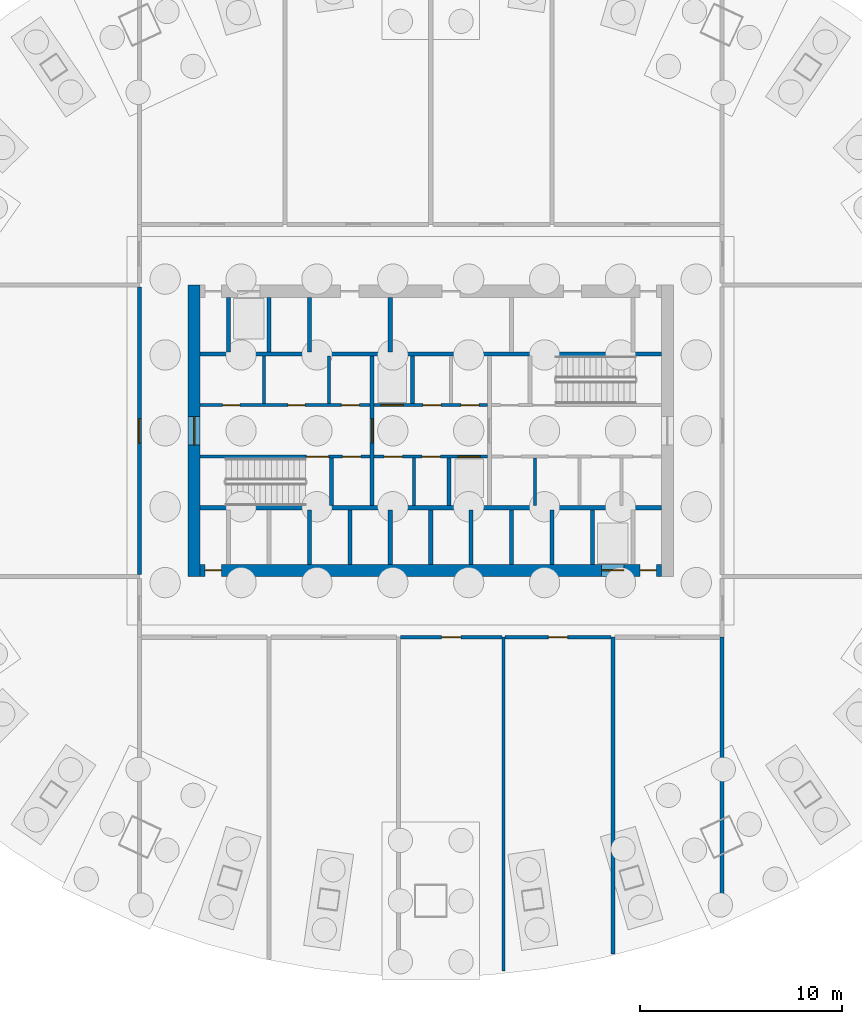
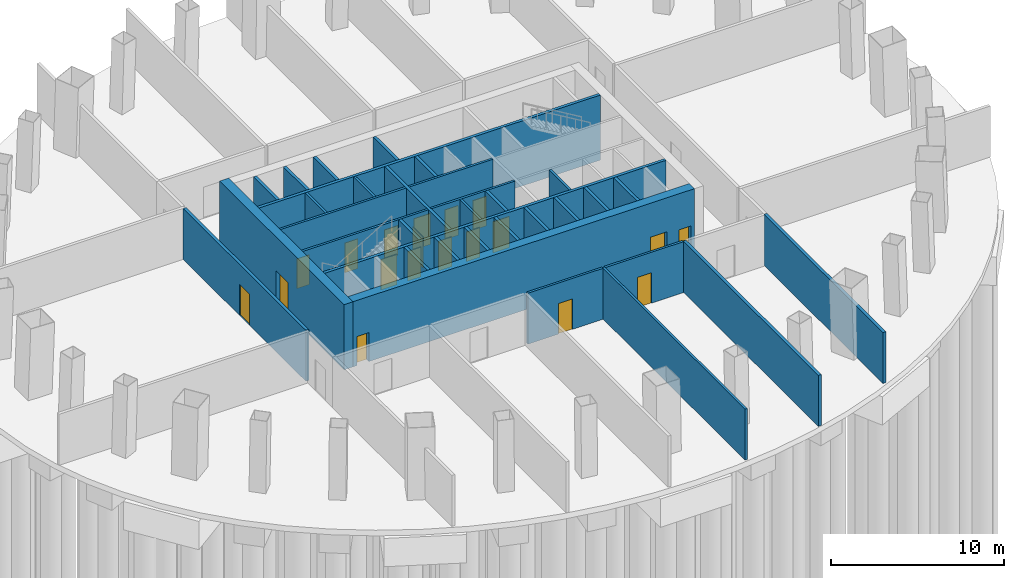
# One storey, part 3 of 7: 34 walls, 19 doors, 19 openings.
"""IFC4 building model written with IfcOpenShell, lengths in metres."""

from ifc_helpers import new_model, si_unit, direction, frame, frame_2d, origin, place, context, subcontext, project, spatial, rectangle, extrude, material, layer, layer_set, type_object, element, fill, save


model = new_model("IFC4")

# Units and contexts
model_context = context("Model", 3, precision=1e-05, world=origin(), true_north=direction((0.0, 1.0)))
body_context = subcontext(model_context, "Body", "Model", "MODEL_VIEW")
ifc_project = project(units=[si_unit("LENGTHUNIT", "METRE"), si_unit("AREAUNIT", "SQUARE_METRE"), si_unit("VOLUMEUNIT", "CUBIC_METRE"), si_unit("PLANEANGLEUNIT", "RADIAN"), si_unit("MASSUNIT", "GRAM", prefix="KILO")], contexts=[model_context])

# Site, building, storey
site_placement = place(None, origin())
site = spatial("IfcSite", under=ifc_project, at=site_placement, CompositionType="ELEMENT")
building_placement = place(site_placement, origin())
building = spatial("IfcBuilding", under=site, at=building_placement, Name="Siaravel Broadcast Tower", CompositionType="ELEMENT")
storey_placement = place(building_placement, frame((0.0, 0.0, -5.0)))
storey = spatial("IfcBuildingStorey", under=building, at=storey_placement, Name="B1", CompositionType="ELEMENT", Elevation=-5.0)

# Walls
ifc_material_1 = material(Name="Concrete blockwork", Category="masonry")
ifc_layer_1 = layer(ifc_material_1, 0.14990234375)
ifc_layer_set_1 = layer_set([ifc_layer_1], Name="Concrete blockwork")
wall_type_1 = type_object("IfcWallType", Name="Core partition 150", PredefinedType="PARTITIONING", material=ifc_layer_set_1)
for number, where, z_axis, x_axis, name in (
    (1, (-8.2470703125, 1.35009765625, 0.0), (0.0, 0.0, 1.0), (0.0, 1.0, 0.0), "B1 core partition PNW0"),
    (2, (-5.01904296875, 1.35009765625, 0.0), (0.0, 0.0, 1.0), (0.0, 1.0, 0.0), "B1 core partition PNW1"),
    (3, (5.14208984375, -3.699951171875, 0.0), (0.0, 0.0, 1.0), (0.0, 1.0, 0.0), "B1 core partition PSE0"),
    (4, (-0.827392578125, -3.699951171875, 0.0), (0.0, 0.0, 1.0), (0.0, 1.0, 0.0), "B1 core partition PSM0"),
):
    element("IfcWall", number, at=place(storey_placement, frame(where, z_axis=z_axis, x_axis=x_axis)), inside=storey, type_object=wall_type_1, Name=name, PredefinedType="PARTITIONING", context=body_context, shape_type="SweptSolid", body=[
        extrude(rectangle(XDim=2.349853515625, YDim=0.14990234375, at=frame_2d((1.1748046875, 0.0))), origin(), (0.0, 0.0, 1.0), 4.60009765625),
    ])
ifc_layer_2 = layer(ifc_material_1, 0.199951171875)
ifc_layer_set_2 = layer_set([ifc_layer_2], Name="Concrete blockwork")
wall_type_2 = type_object("IfcWallType", Name="Core partition 200", PredefinedType="PARTITIONING", material=ifc_layer_set_2)
wall_1_placement = place(storey_placement, frame((-2.0, 3.89990234375, 0.0), z_axis=(0.0, 0.0, 1.0), x_axis=(0.0, 1.0, 0.0)))
element("IfcWall", 5, at=wall_1_placement, inside=storey, type_object=wall_type_2, Name="B1 core partition PFN2", PredefinedType="PARTITIONING", context=body_context, shape_type="SweptSolid", body=[
    extrude(rectangle(XDim=2.7001953125, YDim=0.199951171875, at=frame_2d((1.35009765625, 0.0))), origin(), (0.0, 0.0, 1.0), 4.60009765625),
])

# Wall, opening, door
ifc_material_2 = material(Name="Concrete C60/75", Category="concrete")
ifc_layer_3 = layer(ifc_material_2, 0.60009765625)
ifc_layer_set_3 = layer_set([ifc_layer_3], Name="Concrete C60/75")
wall_type_3 = type_object("IfcWallType", Name="Core wall 600", PredefinedType="SHEAR", material=ifc_layer_set_3)
wall_2_placement = place(storey_placement, frame((-11.699951171875, -7.199951171875, 0.0), z_axis=(0.0, 0.0, 1.0), x_axis=(0.0, 1.0, 0.0)))
wall_2 = element("IfcWall", 6, at=wall_2_placement, inside=storey, type_object=wall_type_3, Name="B1 core wall OW", PredefinedType="SHEAR", context=body_context, shape_type="SweptSolid", body=[
    extrude(rectangle(XDim=14.39990234375, YDim=0.60009765625, at=frame_2d((7.199951171875, 0.0))), origin(), (0.0, 0.0, 1.0), 4.60009765625),
])
opening_1_placement = place(wall_2_placement, frame((6.5, 0.0, 0.0)))
opening_1 = element("IfcOpeningElement", 7, at=opening_1_placement, cuts=wall_2, Name="Opening B1-DX-W", PredefinedType="OPENING", context=body_context, shape_type="SweptSolid", body=[
    extrude(rectangle(XDim=1.39990234375, YDim=2.199951171875, at=frame_2d((0.699951171875, 1.10009765625))), frame((0.0, 0.31005859375, 0.0), z_axis=(0.0, -1.0, 0.0), x_axis=(1.0, 0.0, 0.0)), (0.0, 0.0, 1.0), 0.6201171875),
])
ifc_material_3 = material(Name="Steel", Category="steel")
door_type_1 = type_object("IfcDoorType", Name="Core exit door 1400", OperationType="DOUBLE_DOOR_SINGLE_SWING", PredefinedType="DOOR", material=ifc_material_3)
door_1_placement = place(opening_1_placement, origin())
door_1 = element("IfcDoor", 8, at=door_1_placement, inside=storey, type_object=door_type_1, Name="B1 door DX-W", OperationType="DOUBLE_DOOR_SINGLE_SWING", OverallHeight=2.199951171875, OverallWidth=1.39990234375, PredefinedType="DOOR", context=body_context, shape_type="SweptSolid", body=[
    extrude(rectangle(XDim=1.39990234375, YDim=2.199951171875, at=frame_2d((0.699951171875, 1.10009765625))), frame((0.0, 0.02490234375, 0.0), z_axis=(0.0, -1.0, 0.0), x_axis=(1.0, 0.0, 0.0)), (0.0, 0.0, 1.0), 0.050048828125),
])
fill(opening_1, door_1)

# Wall, openings, doors
wall_3_placement = place(storey_placement, frame((-11.39990234375, -6.89990234375, 0.0), z_axis=(0.0, 0.0, 1.0), x_axis=(1.0, 0.0, 0.0)))
wall_3 = element("IfcWall", 9, at=wall_3_placement, inside=storey, type_object=wall_type_3, Name="B1 core wall OS", PredefinedType="SHEAR", context=body_context, shape_type="SweptSolid", body=[
    extrude(rectangle(XDim=22.7998046875, YDim=0.60009765625, at=frame_2d((11.39990234375, 0.0))), origin(), (0.0, 0.0, 1.0), 4.60009765625),
])
opening_2_placement = place(wall_3_placement, frame((19.85009765625, 0.0, 0.0)))
opening_2 = element("IfcOpeningElement", 10, at=opening_2_placement, cuts=wall_3, Name="Opening LD-SV1-B1", PredefinedType="OPENING", context=body_context, shape_type="SweptSolid", body=[
    extrude(rectangle(XDim=1.10009765625, YDim=2.199951171875, at=frame_2d((0.550048828125, 1.10009765625))), frame((0.0, 0.31005859375, 0.0), z_axis=(0.0, -1.0, 0.0), x_axis=(1.0, 0.0, 0.0)), (0.0, 0.0, 1.0), 0.6201171875),
])
opening_3_placement = place(wall_3_placement, frame((0.25, 0.0, 0.0)))
opening_3 = element("IfcOpeningElement", 11, at=opening_3_placement, cuts=wall_3, Name="Opening B1-DRSW", PredefinedType="OPENING", context=body_context, shape_type="SweptSolid", body=[
    extrude(rectangle(XDim=0.800048828125, YDim=2.050048828125, at=frame_2d((0.39990234375, 1.02490234375))), frame((0.0, 0.31005859375, 0.0), z_axis=(0.0, -1.0, 0.0), x_axis=(1.0, 0.0, 0.0)), (0.0, 0.0, 1.0), 0.6201171875),
])
opening_4_placement = place(wall_3_placement, frame((21.75, 0.0, 0.0)))
opening_4 = element("IfcOpeningElement", 12, at=opening_4_placement, cuts=wall_3, Name="Opening B1-DRSE", PredefinedType="OPENING", context=body_context, shape_type="SweptSolid", body=[
    extrude(rectangle(XDim=0.800048828125, YDim=2.050048828125, at=frame_2d((0.39990234375, 1.02490234375))), frame((0.0, 0.31005859375, 0.0), z_axis=(0.0, -1.0, 0.0), x_axis=(1.0, 0.0, 0.0)), (0.0, 0.0, 1.0), 0.6201171875),
])
door_type_2 = type_object("IfcDoorType", Name="Riser door 800", OperationType="SINGLE_SWING_LEFT", PredefinedType="DOOR", material=ifc_material_3)
door_2_placement = place(opening_3_placement, origin())
door_2 = element("IfcDoor", 13, at=door_2_placement, inside=storey, type_object=door_type_2, Name="B1 door DRSW", OperationType="SINGLE_SWING_LEFT", OverallHeight=2.050048828125, OverallWidth=0.800048828125, PredefinedType="DOOR", context=body_context, shape_type="SweptSolid", body=[
    extrude(rectangle(XDim=0.800048828125, YDim=2.050048828125, at=frame_2d((0.39990234375, 1.02490234375))), frame((0.0, 0.02490234375, 0.0), z_axis=(0.0, -1.0, 0.0), x_axis=(1.0, 0.0, 0.0)), (0.0, 0.0, 1.0), 0.050048828125),
])
fill(opening_3, door_2)
door_3_placement = place(opening_4_placement, origin())
door_3 = element("IfcDoor", 14, at=door_3_placement, inside=storey, type_object=door_type_2, Name="B1 door DRSE", OperationType="SINGLE_SWING_LEFT", OverallHeight=2.050048828125, OverallWidth=0.800048828125, PredefinedType="DOOR", context=body_context, shape_type="SweptSolid", body=[
    extrude(rectangle(XDim=0.800048828125, YDim=2.050048828125, at=frame_2d((0.39990234375, 1.02490234375))), frame((0.0, 0.02490234375, 0.0), z_axis=(0.0, -1.0, 0.0), x_axis=(1.0, 0.0, 0.0)), (0.0, 0.0, 1.0), 0.050048828125),
])
fill(opening_4, door_3)
ifc_material_4 = material(Name="Stainless steel 316L", Category="steel")
door_type_3 = type_object("IfcDoorType", Name="Service lift landing door 1100", OperationType="DOUBLE_DOOR_SLIDING", PredefinedType="DOOR", material=ifc_material_4)
door_4_placement = place(opening_2_placement, origin())
door_4 = element("IfcDoor", 15, at=door_4_placement, inside=storey, type_object=door_type_3, Name="Landing door SV1 B1", OperationType="DOUBLE_DOOR_SLIDING", OverallHeight=2.199951171875, OverallWidth=1.10009765625, PredefinedType="DOOR", context=body_context, shape_type="SweptSolid", body=[
    extrude(rectangle(XDim=1.10009765625, YDim=2.199951171875, at=frame_2d((0.550048828125, 1.10009765625))), frame((0.0, 0.02490234375, 0.0), z_axis=(0.0, -1.0, 0.0), x_axis=(1.0, 0.0, 0.0)), (0.0, 0.0, 1.0), 0.050048828125),
])
fill(opening_2, door_4)

ifc_material_5 = material(Name="Gypsum board partition", Category="gypsum")
ifc_layer_4 = layer(ifc_material_5, 0.14990234375)
ifc_layer_set_4 = layer_set([ifc_layer_4], Name="Gypsum board partition")
wall_type_4 = type_object("IfcWallType", Name="Corridor wall 150", PredefinedType="PARTITIONING", material=ifc_layer_set_4)
wall_4_placement = place(storey_placement, frame((-11.39990234375, 1.27490234375, 0.0), z_axis=(0.0, 0.0, 1.0), x_axis=(1.0, 0.0, 0.0)))
wall_4 = element("IfcWall", 16, at=wall_4_placement, inside=storey, type_object=wall_type_4, Name="B1 core partition CNW", PredefinedType="PARTITIONING", context=body_context, shape_type="SweptSolid", body=[
    extrude(rectangle(XDim=8.39990234375, YDim=0.14990234375, at=frame_2d((4.199951171875, 0.0))), origin(), (0.0, 0.0, 1.0), 4.60009765625),
])
opening_5_placement = place(wall_4_placement, frame((1.114013671875, 0.0, 0.0)))
opening_5 = element("IfcOpeningElement", 17, at=opening_5_placement, cuts=wall_4, Name="Opening B1-DNW0", PredefinedType="OPENING", context=body_context, shape_type="SweptSolid", body=[
    extrude(rectangle(XDim=0.85009765625, YDim=2.10009765625, at=frame_2d((0.425048828125, 1.050048828125))), frame((0.0, 0.0849609375, 0.0), z_axis=(0.0, -1.0, 0.0), x_axis=(1.0, 0.0, 0.0)), (0.0, 0.0, 1.0), 0.169921875),
])
opening_6_placement = place(wall_4_placement, frame((4.342041015625, 0.0, 0.0)))
opening_6 = element("IfcOpeningElement", 18, at=opening_6_placement, cuts=wall_4, Name="Opening B1-DNW1", PredefinedType="OPENING", context=body_context, shape_type="SweptSolid", body=[
    extrude(rectangle(XDim=0.85009765625, YDim=2.10009765625, at=frame_2d((0.425048828125, 1.050048828125))), frame((0.0, 0.0849609375, 0.0), z_axis=(0.0, -1.0, 0.0), x_axis=(1.0, 0.0, 0.0)), (0.0, 0.0, 1.0), 0.169921875),
])
opening_7_placement = place(wall_4_placement, frame((6.97802734375, 0.0, 0.0)))
opening_7 = element("IfcOpeningElement", 19, at=opening_7_placement, cuts=wall_4, Name="Opening B1-DNW2", PredefinedType="OPENING", context=body_context, shape_type="SweptSolid", body=[
    extrude(rectangle(XDim=0.89990234375, YDim=2.10009765625, at=frame_2d((0.449951171875, 1.050048828125))), frame((0.0, 0.0849609375, 0.0), z_axis=(0.0, -1.0, 0.0), x_axis=(1.0, 0.0, 0.0)), (0.0, 0.0, 1.0), 0.169921875),
])
ifc_material_6 = material(Name="Timber veneer", Category="wood")
door_type_4 = type_object("IfcDoorType", Name="Core room door 900", OperationType="SINGLE_SWING_LEFT", PredefinedType="DOOR", material=ifc_material_6)
door_5_placement = place(opening_7_placement, origin())
door_5 = element("IfcDoor", 20, at=door_5_placement, inside=storey, type_object=door_type_4, Name="B1 door DNW2", OperationType="SINGLE_SWING_LEFT", OverallHeight=2.10009765625, OverallWidth=0.89990234375, PredefinedType="DOOR", context=body_context, shape_type="SweptSolid", body=[
    extrude(rectangle(XDim=0.89990234375, YDim=2.10009765625, at=frame_2d((0.449951171875, 1.050048828125))), frame((0.0, 0.02490234375, 0.0), z_axis=(0.0, -1.0, 0.0), x_axis=(1.0, 0.0, 0.0)), (0.0, 0.0, 1.0), 0.050048828125),
])
fill(opening_7, door_5)
door_type_5 = type_object("IfcDoorType", Name="Core toilet door 850", OperationType="SINGLE_SWING_LEFT", PredefinedType="DOOR", material=ifc_material_6)
door_6_placement = place(opening_5_placement, origin())
door_6 = element("IfcDoor", 21, at=door_6_placement, inside=storey, type_object=door_type_5, Name="B1 door DNW0", OperationType="SINGLE_SWING_LEFT", OverallHeight=2.10009765625, OverallWidth=0.85009765625, PredefinedType="DOOR", context=body_context, shape_type="SweptSolid", body=[
    extrude(rectangle(XDim=0.85009765625, YDim=2.10009765625, at=frame_2d((0.425048828125, 1.050048828125))), frame((0.0, 0.02490234375, 0.0), z_axis=(0.0, -1.0, 0.0), x_axis=(1.0, 0.0, 0.0)), (0.0, 0.0, 1.0), 0.050048828125),
])
fill(opening_5, door_6)
door_7_placement = place(opening_6_placement, origin())
door_7 = element("IfcDoor", 22, at=door_7_placement, inside=storey, type_object=door_type_5, Name="B1 door DNW1", OperationType="SINGLE_SWING_LEFT", OverallHeight=2.10009765625, OverallWidth=0.85009765625, PredefinedType="DOOR", context=body_context, shape_type="SweptSolid", body=[
    extrude(rectangle(XDim=0.85009765625, YDim=2.10009765625, at=frame_2d((0.425048828125, 1.050048828125))), frame((0.0, 0.02490234375, 0.0), z_axis=(0.0, -1.0, 0.0), x_axis=(1.0, 0.0, 0.0)), (0.0, 0.0, 1.0), 0.050048828125),
])
fill(opening_6, door_7)

# Wall, opening, door
wall_5_placement = place(storey_placement, frame((3.677001953125, -10.199951171875, 0.0), z_axis=(0.0, 0.0, 1.0), x_axis=(1.0, 0.0, 0.0)))
wall_5 = element("IfcWall", 23, at=wall_5_placement, inside=storey, type_object=wall_type_4, Name="B1 partition 24", PredefinedType="PARTITIONING", context=body_context, shape_type="SweptSolid", body=[
    extrude(rectangle(XDim=5.220947265625, YDim=0.14990234375, at=frame_2d((2.6103515625, 0.0))), origin(), (0.0, 0.0, 1.0), 3.60009765625),
])
opening_8_placement = place(wall_5_placement, frame((2.135498046875, 0.0, 0.0)))
opening_8 = element("IfcOpeningElement", 24, at=opening_8_placement, cuts=wall_5, Name="Opening B1-014", PredefinedType="OPENING", context=body_context, shape_type="SweptSolid", body=[
    extrude(rectangle(XDim=0.949951171875, YDim=2.14990234375, at=frame_2d((0.47509765625, 1.074951171875))), frame((0.0, 0.0849609375, 0.0), z_axis=(0.0, -1.0, 0.0), x_axis=(1.0, 0.0, 0.0)), (0.0, 0.0, 1.0), 0.169921875),
])
door_type_6 = type_object("IfcDoorType", Name="Office door 950", OperationType="SINGLE_SWING_LEFT", PredefinedType="DOOR", material=ifc_material_6)
door_8_placement = place(opening_8_placement, origin())
door_8 = element("IfcDoor", 25, at=door_8_placement, inside=storey, type_object=door_type_6, Name="B1 door to General store", OperationType="SINGLE_SWING_RIGHT", OverallHeight=2.14990234375, OverallWidth=0.949951171875, PredefinedType="DOOR", context=body_context, shape_type="SweptSolid", body=[
    extrude(rectangle(XDim=0.949951171875, YDim=2.14990234375, at=frame_2d((0.47509765625, 1.074951171875))), frame((0.0, 0.02490234375, 0.0), z_axis=(0.0, -1.0, 0.0), x_axis=(1.0, 0.0, 0.0)), (0.0, 0.0, 1.0), 0.050048828125),
])
fill(opening_8, door_8)

wall_6_placement = place(storey_placement, frame((-1.498046875, -10.199951171875, 0.0), z_axis=(0.0, 0.0, 1.0), x_axis=(1.0, 0.0, 0.0)))
wall_6 = element("IfcWall", 26, at=wall_6_placement, inside=storey, type_object=wall_type_4, Name="B1 partition 26", PredefinedType="PARTITIONING", context=body_context, shape_type="SweptSolid", body=[
    extrude(rectangle(XDim=5.02099609375, YDim=0.14990234375, at=frame_2d((2.510498046875, 0.0))), origin(), (0.0, 0.0, 1.0), 3.60009765625),
])
opening_9_placement = place(wall_6_placement, frame((2.035400390625, 0.0, 0.0)))
opening_9 = element("IfcOpeningElement", 27, at=opening_9_placement, cuts=wall_6, Name="Opening B1-013", PredefinedType="OPENING", context=body_context, shape_type="SweptSolid", body=[
    extrude(rectangle(XDim=0.949951171875, YDim=2.14990234375, at=frame_2d((0.47509765625, 1.074951171875))), frame((0.0, 0.0849609375, 0.0), z_axis=(0.0, -1.0, 0.0), x_axis=(1.0, 0.0, 0.0)), (0.0, 0.0, 1.0), 0.169921875),
])
door_9_placement = place(opening_9_placement, origin())
door_9 = element("IfcDoor", 28, at=door_9_placement, inside=storey, type_object=door_type_6, Name="B1 door to Refuse store", OperationType="SINGLE_SWING_LEFT", OverallHeight=2.14990234375, OverallWidth=0.949951171875, PredefinedType="DOOR", context=body_context, shape_type="SweptSolid", body=[
    extrude(rectangle(XDim=0.949951171875, YDim=2.14990234375, at=frame_2d((0.47509765625, 1.074951171875))), frame((0.0, 0.02490234375, 0.0), z_axis=(0.0, -1.0, 0.0), x_axis=(1.0, 0.0, 0.0)), (0.0, 0.0, 1.0), 0.050048828125),
])
fill(opening_9, door_9)

# Wall
ifc_layer_5 = layer(ifc_material_1, 0.199951171875)
ifc_layer_set_5 = layer_set([ifc_layer_5], Name="Concrete blockwork")
wall_type_5 = type_object("IfcWallType", Name="Plant room wall 200", PredefinedType="PARTITIONING", material=ifc_layer_set_5)
wall_7_placement = place(storey_placement, frame((9.0, -25.86083984375, 0.0), z_axis=(0.0, 0.0, 1.0), x_axis=(0.0, 1.0, 0.0)))
element("IfcWall", 29, at=wall_7_placement, inside=storey, type_object=wall_type_5, Name="B1 partition 11", PredefinedType="PARTITIONING", context=body_context, shape_type="SweptSolid", body=[
    extrude(rectangle(XDim=15.660888671875, YDim=0.199951171875, at=frame_2d((7.83056640625, 0.0))), origin(), (0.0, 0.0, 1.0), 3.60009765625),
])

# Wall, opening, door
wall_8_placement = place(storey_placement, frame((-14.39990234375, 7.097900390625, 0.0), z_axis=(0.0, 0.0, 1.0), x_axis=(0.0, -1.0, 0.0)))
wall_8 = element("IfcWall", 30, at=wall_8_placement, inside=storey, type_object=wall_type_5, Name="B1 partition 12", PredefinedType="PARTITIONING", context=body_context, shape_type="SweptSolid", body=[
    extrude(rectangle(XDim=14.19580078125, YDim=0.199951171875, at=frame_2d((7.097900390625, 0.0))), origin(), (0.0, 0.0, 1.0), 3.60009765625),
])
opening_10_placement = place(wall_8_placement, frame((6.498046875, 0.0, 0.0)))
opening_10 = element("IfcOpeningElement", 31, at=opening_10_placement, cuts=wall_8, Name="Opening B1-002", PredefinedType="OPENING", context=body_context, shape_type="SweptSolid", body=[
    extrude(rectangle(XDim=1.199951171875, YDim=2.199951171875, at=frame_2d((0.60009765625, 1.10009765625))), frame((0.0, 0.10986328125, 0.0), z_axis=(0.0, -1.0, 0.0), x_axis=(1.0, 0.0, 0.0)), (0.0, 0.0, 1.0), 0.219970703125),
])
door_type_7 = type_object("IfcDoorType", Name="Plant room door 1200", OperationType="DOUBLE_DOOR_SINGLE_SWING", PredefinedType="DOOR", material=ifc_material_3)
door_10_placement = place(opening_10_placement, origin())
door_10 = element("IfcDoor", 32, at=door_10_placement, inside=storey, type_object=door_type_7, Name="B1 door to Chiller plant room", OperationType="DOUBLE_DOOR_SINGLE_SWING", OverallHeight=2.199951171875, OverallWidth=1.199951171875, PredefinedType="DOOR", context=body_context, shape_type="SweptSolid", body=[
    extrude(rectangle(XDim=1.199951171875, YDim=2.199951171875, at=frame_2d((0.60009765625, 1.10009765625))), frame((0.0, 0.02490234375, 0.0), z_axis=(0.0, -1.0, 0.0), x_axis=(1.0, 0.0, 0.0)), (0.0, 0.0, 1.0), 0.050048828125),
])
fill(opening_10, door_10)

# Walls
wall_9_placement = place(storey_placement, frame((14.39990234375, -10.199951171875, 0.0), z_axis=(0.0, 0.0, 1.0), x_axis=(0.0, -1.0, 0.0)))
element("IfcWall", 33, at=wall_9_placement, inside=storey, type_object=wall_type_5, Name="B1 partition 16", PredefinedType="PARTITIONING", context=body_context, shape_type="SweptSolid", body=[
    extrude(rectangle(XDim=13.791259765625, YDim=0.199951171875, at=frame_2d((6.8955078125, 0.0))), origin(), (0.0, 0.0, 1.0), 3.60009765625),
])
ifc_layer_6 = layer(ifc_material_5, 0.14990234375)
ifc_layer_set_6 = layer_set([ifc_layer_6], Name="Gypsum board partition")
wall_type_6 = type_object("IfcWallType", Name="Room partition 150", PredefinedType="PARTITIONING", material=ifc_layer_set_6)
wall_10_placement = place(storey_placement, frame((3.60009765625, -26.690185546875, 0.0), z_axis=(0.0, 0.0, 1.0), x_axis=(0.0, 1.0, 0.0)))
element("IfcWall", 34, at=wall_10_placement, inside=storey, type_object=wall_type_6, Name="B1 partition 7", PredefinedType="PARTITIONING", context=body_context, shape_type="SweptSolid", body=[
    extrude(rectangle(XDim=16.490234375, YDim=0.14990234375, at=frame_2d((8.2451171875, 0.0))), origin(), (0.0, 0.0, 1.0), 3.60009765625),
])

# Wall, openings, doors
ifc_layer_7 = layer(ifc_material_2, 0.14990234375)
ifc_layer_set_7 = layer_set([ifc_layer_7], Name="Concrete C60/75")
wall_type_7 = type_object("IfcWallType", Name="Shaft wall 150", PredefinedType="SHEAR", material=ifc_layer_set_7)
wall_11_placement = place(storey_placement, frame((-11.39990234375, -1.27490234375, 0.0), z_axis=(0.0, 0.0, 1.0), x_axis=(1.0, 0.0, 0.0)))
wall_11 = element("IfcWall", 35, at=wall_11_placement, inside=storey, type_object=wall_type_7, Name="B1 core wall CSW", PredefinedType="SHEAR", context=body_context, shape_type="SweptSolid", body=[
    extrude(rectangle(XDim=8.39990234375, YDim=0.14990234375, at=frame_2d((4.199951171875, 0.0))), origin(), (0.0, 0.0, 1.0), 4.60009765625),
])
opening_11_placement = place(wall_11_placement, frame((5.25, 0.0, 0.0)))
opening_11 = element("IfcOpeningElement", 36, at=opening_11_placement, cuts=wall_11, Name="Opening B1-DS-1", PredefinedType="OPENING", context=body_context, shape_type="SweptSolid", body=[
    extrude(rectangle(XDim=1.10009765625, YDim=2.14990234375, at=frame_2d((0.550048828125, 1.074951171875))), frame((0.0, 0.0849609375, 0.0), z_axis=(0.0, -1.0, 0.0), x_axis=(1.0, 0.0, 0.0)), (0.0, 0.0, 1.0), 0.169921875),
])
opening_12_placement = place(wall_11_placement, frame((7.050048828125, 0.0, 0.0)))
opening_12 = element("IfcOpeningElement", 37, at=opening_12_placement, cuts=wall_11, Name="Opening B1-DSW0", PredefinedType="OPENING", context=body_context, shape_type="SweptSolid", body=[
    extrude(rectangle(XDim=0.89990234375, YDim=2.10009765625, at=frame_2d((0.449951171875, 1.050048828125))), frame((0.0, 0.0849609375, 0.0), z_axis=(0.0, -1.0, 0.0), x_axis=(1.0, 0.0, 0.0)), (0.0, 0.0, 1.0), 0.169921875),
])
door_11_placement = place(opening_12_placement, origin())
door_11 = element("IfcDoor", 38, at=door_11_placement, inside=storey, type_object=door_type_4, Name="B1 door DSW0", OperationType="SINGLE_SWING_LEFT", OverallHeight=2.10009765625, OverallWidth=0.89990234375, PredefinedType="DOOR", context=body_context, shape_type="SweptSolid", body=[
    extrude(rectangle(XDim=0.89990234375, YDim=2.10009765625, at=frame_2d((0.449951171875, 1.050048828125))), frame((0.0, 0.02490234375, 0.0), z_axis=(0.0, -1.0, 0.0), x_axis=(1.0, 0.0, 0.0)), (0.0, 0.0, 1.0), 0.050048828125),
])
fill(opening_12, door_11)
door_type_8 = type_object("IfcDoorType", Name="Stair door 1100", OperationType="SINGLE_SWING_LEFT", PredefinedType="DOOR", material=ifc_material_3)
door_12_placement = place(opening_11_placement, origin())
door_12 = element("IfcDoor", 39, at=door_12_placement, inside=storey, type_object=door_type_8, Name="B1 door DS-1", OperationType="SINGLE_SWING_LEFT", OverallHeight=2.14990234375, OverallWidth=1.10009765625, PredefinedType="DOOR", context=body_context, shape_type="SweptSolid", body=[
    extrude(rectangle(XDim=1.10009765625, YDim=2.14990234375, at=frame_2d((0.550048828125, 1.074951171875))), frame((0.0, 0.02490234375, 0.0), z_axis=(0.0, -1.0, 0.0), x_axis=(1.0, 0.0, 0.0)), (0.0, 0.0, 1.0), 0.050048828125),
])
fill(opening_11, door_12)

wall_12_placement = place(storey_placement, frame((-2.800048828125, -1.27490234375, 0.0), z_axis=(0.0, 0.0, 1.0), x_axis=(1.0, 0.0, 0.0)))
wall_12 = element("IfcWall", 40, at=wall_12_placement, inside=storey, type_object=wall_type_7, Name="B1 core wall CSM", PredefinedType="SHEAR", context=body_context, shape_type="SweptSolid", body=[
    extrude(rectangle(XDim=5.60009765625, YDim=0.14990234375, at=frame_2d((2.800048828125, 0.0))), origin(), (0.0, 0.0, 1.0), 4.60009765625),
])
opening_13_placement = place(wall_12_placement, frame((4.14990234375, 0.0, 0.0)))
opening_13 = element("IfcOpeningElement", 41, at=opening_13_placement, cuts=wall_12, Name="Opening LD-FL2-B1", PredefinedType="OPENING", context=body_context, shape_type="SweptSolid", body=[
    extrude(rectangle(XDim=1.10009765625, YDim=2.199951171875, at=frame_2d((0.550048828125, 1.10009765625))), frame((0.0, 0.0849609375, 0.0), z_axis=(0.0, -1.0, 0.0), x_axis=(1.0, 0.0, 0.0)), (0.0, 0.0, 1.0), 0.169921875),
])
opening_14_placement = place(wall_12_placement, frame((0.498779296875, 0.0, 0.0)))
opening_14 = element("IfcOpeningElement", 42, at=opening_14_placement, cuts=wall_12, Name="Opening B1-DSM0", PredefinedType="OPENING", context=body_context, shape_type="SweptSolid", body=[
    extrude(rectangle(XDim=0.89990234375, YDim=2.10009765625, at=frame_2d((0.449951171875, 1.050048828125))), frame((0.0, 0.0849609375, 0.0), z_axis=(0.0, -1.0, 0.0), x_axis=(1.0, 0.0, 0.0)), (0.0, 0.0, 1.0), 0.169921875),
])
opening_15_placement = place(wall_12_placement, frame((2.373779296875, 0.0, 0.0)))
opening_15 = element("IfcOpeningElement", 43, at=opening_15_placement, cuts=wall_12, Name="Opening B1-DSM1", PredefinedType="OPENING", context=body_context, shape_type="SweptSolid", body=[
    extrude(rectangle(XDim=0.89990234375, YDim=2.10009765625, at=frame_2d((0.449951171875, 1.050048828125))), frame((0.0, 0.0849609375, 0.0), z_axis=(0.0, -1.0, 0.0), x_axis=(1.0, 0.0, 0.0)), (0.0, 0.0, 1.0), 0.169921875),
])
door_13_placement = place(opening_14_placement, origin())
door_13 = element("IfcDoor", 44, at=door_13_placement, inside=storey, type_object=door_type_4, Name="B1 door DSM0", OperationType="SINGLE_SWING_LEFT", OverallHeight=2.10009765625, OverallWidth=0.89990234375, PredefinedType="DOOR", context=body_context, shape_type="SweptSolid", body=[
    extrude(rectangle(XDim=0.89990234375, YDim=2.10009765625, at=frame_2d((0.449951171875, 1.050048828125))), frame((0.0, 0.02490234375, 0.0), z_axis=(0.0, -1.0, 0.0), x_axis=(1.0, 0.0, 0.0)), (0.0, 0.0, 1.0), 0.050048828125),
])
fill(opening_14, door_13)
door_14_placement = place(opening_15_placement, origin())
door_14 = element("IfcDoor", 45, at=door_14_placement, inside=storey, type_object=door_type_4, Name="B1 door DSM1", OperationType="SINGLE_SWING_LEFT", OverallHeight=2.10009765625, OverallWidth=0.89990234375, PredefinedType="DOOR", context=body_context, shape_type="SweptSolid", body=[
    extrude(rectangle(XDim=0.89990234375, YDim=2.10009765625, at=frame_2d((0.449951171875, 1.050048828125))), frame((0.0, 0.02490234375, 0.0), z_axis=(0.0, -1.0, 0.0), x_axis=(1.0, 0.0, 0.0)), (0.0, 0.0, 1.0), 0.050048828125),
])
fill(opening_15, door_14)
door_type_9 = type_object("IfcDoorType", Name="Firefighting lift landing door 1100", OperationType="DOUBLE_DOOR_SLIDING", PredefinedType="DOOR", material=ifc_material_4)
door_15_placement = place(opening_13_placement, origin())
door_15 = element("IfcDoor", 46, at=door_15_placement, inside=storey, type_object=door_type_9, Name="Landing door FL2 B1", OperationType="DOUBLE_DOOR_SLIDING", OverallHeight=2.199951171875, OverallWidth=1.10009765625, PredefinedType="DOOR", context=body_context, shape_type="SweptSolid", body=[
    extrude(rectangle(XDim=1.10009765625, YDim=2.199951171875, at=frame_2d((0.550048828125, 1.10009765625))), frame((0.0, 0.02490234375, 0.0), z_axis=(0.0, -1.0, 0.0), x_axis=(1.0, 0.0, 0.0)), (0.0, 0.0, 1.0), 0.050048828125),
])
fill(opening_13, door_15)

wall_13_placement = place(storey_placement, frame((-2.800048828125, 1.27490234375, 0.0), z_axis=(0.0, 0.0, 1.0), x_axis=(1.0, 0.0, 0.0)))
wall_13 = element("IfcWall", 47, at=wall_13_placement, inside=storey, type_object=wall_type_7, Name="B1 core wall CNM", PredefinedType="SHEAR", context=body_context, shape_type="SweptSolid", body=[
    extrude(rectangle(XDim=5.60009765625, YDim=0.14990234375, at=frame_2d((2.800048828125, 0.0))), origin(), (0.0, 0.0, 1.0), 4.60009765625),
])
opening_16_placement = place(wall_13_placement, frame((0.35009765625, 0.0, 0.0)))
opening_16 = element("IfcOpeningElement", 48, at=opening_16_placement, cuts=wall_13, Name="Opening LD-FL1-B1", PredefinedType="OPENING", context=body_context, shape_type="SweptSolid", body=[
    extrude(rectangle(XDim=1.10009765625, YDim=2.199951171875, at=frame_2d((0.550048828125, 1.10009765625))), frame((0.0, 0.0849609375, 0.0), z_axis=(0.0, -1.0, 0.0), x_axis=(1.0, 0.0, 0.0)), (0.0, 0.0, 1.0), 0.169921875),
])
opening_17_placement = place(wall_13_placement, frame((2.41259765625, 0.0, 0.0)))
opening_17 = element("IfcOpeningElement", 49, at=opening_17_placement, cuts=wall_13, Name="Opening B1-DNM0", PredefinedType="OPENING", context=body_context, shape_type="SweptSolid", body=[
    extrude(rectangle(XDim=0.89990234375, YDim=2.10009765625, at=frame_2d((0.449951171875, 1.050048828125))), frame((0.0, 0.0849609375, 0.0), z_axis=(0.0, -1.0, 0.0), x_axis=(1.0, 0.0, 0.0)), (0.0, 0.0, 1.0), 0.169921875),
])
opening_18_placement = place(wall_13_placement, frame((4.28759765625, 0.0, 0.0)))
opening_18 = element("IfcOpeningElement", 50, at=opening_18_placement, cuts=wall_13, Name="Opening B1-DNM1", PredefinedType="OPENING", context=body_context, shape_type="SweptSolid", body=[
    extrude(rectangle(XDim=0.89990234375, YDim=2.10009765625, at=frame_2d((0.449951171875, 1.050048828125))), frame((0.0, 0.0849609375, 0.0), z_axis=(0.0, -1.0, 0.0), x_axis=(1.0, 0.0, 0.0)), (0.0, 0.0, 1.0), 0.169921875),
])
door_16_placement = place(opening_17_placement, origin())
door_16 = element("IfcDoor", 51, at=door_16_placement, inside=storey, type_object=door_type_4, Name="B1 door DNM0", OperationType="SINGLE_SWING_LEFT", OverallHeight=2.10009765625, OverallWidth=0.89990234375, PredefinedType="DOOR", context=body_context, shape_type="SweptSolid", body=[
    extrude(rectangle(XDim=0.89990234375, YDim=2.10009765625, at=frame_2d((0.449951171875, 1.050048828125))), frame((0.0, 0.02490234375, 0.0), z_axis=(0.0, -1.0, 0.0), x_axis=(1.0, 0.0, 0.0)), (0.0, 0.0, 1.0), 0.050048828125),
])
fill(opening_17, door_16)
door_17_placement = place(opening_18_placement, origin())
door_17 = element("IfcDoor", 52, at=door_17_placement, inside=storey, type_object=door_type_4, Name="B1 door DNM1", OperationType="SINGLE_SWING_LEFT", OverallHeight=2.10009765625, OverallWidth=0.89990234375, PredefinedType="DOOR", context=body_context, shape_type="SweptSolid", body=[
    extrude(rectangle(XDim=0.89990234375, YDim=2.10009765625, at=frame_2d((0.449951171875, 1.050048828125))), frame((0.0, 0.02490234375, 0.0), z_axis=(0.0, -1.0, 0.0), x_axis=(1.0, 0.0, 0.0)), (0.0, 0.0, 1.0), 0.050048828125),
])
fill(opening_18, door_17)
door_18_placement = place(opening_16_placement, origin())
door_18 = element("IfcDoor", 53, at=door_18_placement, inside=storey, type_object=door_type_9, Name="Landing door FL1 B1", OperationType="DOUBLE_DOOR_SLIDING", OverallHeight=2.199951171875, OverallWidth=1.10009765625, PredefinedType="DOOR", context=body_context, shape_type="SweptSolid", body=[
    extrude(rectangle(XDim=1.10009765625, YDim=2.199951171875, at=frame_2d((0.550048828125, 1.10009765625))), frame((0.0, 0.02490234375, 0.0), z_axis=(0.0, -1.0, 0.0), x_axis=(1.0, 0.0, 0.0)), (0.0, 0.0, 1.0), 0.050048828125),
])
fill(opening_16, door_18)

# Walls
ifc_layer_8 = layer(ifc_material_2, 0.199951171875)
ifc_layer_set_8 = layer_set([ifc_layer_8], Name="Concrete C60/75")
wall_type_8 = type_object("IfcWallType", Name="Shaft wall 200", PredefinedType="SHEAR", material=ifc_layer_set_8)
for number, where, z_axis, x_axis, name in (
    (54, (-11.39990234375, -3.800048828125, 0.0), (0.0, 0.0, 1.0), (1.0, 0.0, 0.0), "B1 core wall BS"),
    (55, (-11.39990234375, 3.800048828125, 0.0), (0.0, 0.0, 1.0), (1.0, 0.0, 0.0), "B1 core wall BN"),
):
    element("IfcWall", number, at=place(storey_placement, frame(where, z_axis=z_axis, x_axis=x_axis)), inside=storey, type_object=wall_type_8, Name=name, PredefinedType="SHEAR", context=body_context, shape_type="SweptSolid", body=[
        extrude(rectangle(XDim=22.7998046875, YDim=0.199951171875, at=frame_2d((11.39990234375, 0.0))), origin(), (0.0, 0.0, 1.0), 4.60009765625),
    ])
for number, where, z_axis, x_axis, name in (
    (56, (-6.0, -6.60009765625, 0.0), (0.0, 0.0, 1.0), (0.0, 1.0, 0.0), "B1 core wall SWS2"),
    (57, (-4.0, -6.60009765625, 0.0), (0.0, 0.0, 1.0), (0.0, 1.0, 0.0), "B1 core wall SWS3"),
    (58, (-2.0, -6.60009765625, 0.0), (0.0, 0.0, 1.0), (0.0, 1.0, 0.0), "B1 core wall SWS4"),
    (59, (0.0, -6.60009765625, 0.0), (0.0, 0.0, 1.0), (0.0, 1.0, 0.0), "B1 core wall SWS5"),
    (60, (2.0, -6.60009765625, 0.0), (0.0, 0.0, 1.0), (0.0, 1.0, 0.0), "B1 core wall SWS6"),
    (61, (4.0, -6.60009765625, 0.0), (0.0, 0.0, 1.0), (0.0, 1.0, 0.0), "B1 core wall SWS7"),
    (62, (6.0, -6.60009765625, 0.0), (0.0, 0.0, 1.0), (0.0, 1.0, 0.0), "B1 core wall SWS8"),
    (63, (8.0, -6.60009765625, 0.0), (0.0, 0.0, 1.0), (0.0, 1.0, 0.0), "B1 core wall SWS9"),
    (64, (-10.0, 3.89990234375, 0.0), (0.0, 0.0, 1.0), (0.0, 1.0, 0.0), "B1 core wall SWN0"),
    (65, (-8.0, 3.89990234375, 0.0), (0.0, 0.0, 1.0), (0.0, 1.0, 0.0), "B1 core wall SWN1"),
    (66, (-6.0, 3.89990234375, 0.0), (0.0, 0.0, 1.0), (0.0, 1.0, 0.0), "B1 core wall SWN2"),
):
    element("IfcWall", number, at=place(storey_placement, frame(where, z_axis=z_axis, x_axis=x_axis)), inside=storey, type_object=wall_type_8, Name=name, PredefinedType="SHEAR", context=body_context, shape_type="SweptSolid", body=[
        extrude(rectangle(XDim=2.7001953125, YDim=0.199951171875, at=frame_2d((1.35009765625, 0.0))), origin(), (0.0, 0.0, 1.0), 4.60009765625),
    ])

# Wall, opening, door
wall_14_placement = place(storey_placement, frame((-2.89990234375, -3.699951171875, 0.0), z_axis=(0.0, 0.0, 1.0), x_axis=(0.0, 1.0, 0.0)))
wall_14 = element("IfcWall", 67, at=wall_14_placement, inside=storey, type_object=wall_type_8, Name="B1 core wall LW", PredefinedType="SHEAR", context=body_context, shape_type="SweptSolid", body=[
    extrude(rectangle(XDim=7.39990234375, YDim=0.199951171875, at=frame_2d((3.699951171875, 0.0))), origin(), (0.0, 0.0, 1.0), 4.60009765625),
])
opening_19_placement = place(wall_14_placement, frame((3.10009765625, 0.0, 0.0)))
opening_19 = element("IfcOpeningElement", 68, at=opening_19_placement, cuts=wall_14, Name="Opening B1-DL-W", PredefinedType="OPENING", context=body_context, shape_type="SweptSolid", body=[
    extrude(rectangle(XDim=1.199951171875, YDim=2.199951171875, at=frame_2d((0.60009765625, 1.10009765625))), frame((0.0, 0.10986328125, 0.0), z_axis=(0.0, -1.0, 0.0), x_axis=(1.0, 0.0, 0.0)), (0.0, 0.0, 1.0), 0.219970703125),
])
door_type_10 = type_object("IfcDoorType", Name="Firefighting lobby door 1200", OperationType="SINGLE_SWING_LEFT", PredefinedType="DOOR", material=ifc_material_3)
door_19_placement = place(opening_19_placement, origin())
door_19 = element("IfcDoor", 69, at=door_19_placement, inside=storey, type_object=door_type_10, Name="B1 door DL-W", OperationType="SINGLE_SWING_LEFT", OverallHeight=2.199951171875, OverallWidth=1.199951171875, PredefinedType="DOOR", context=body_context, shape_type="SweptSolid", body=[
    extrude(rectangle(XDim=1.199951171875, YDim=2.199951171875, at=frame_2d((0.60009765625, 1.10009765625))), frame((0.0, 0.02490234375, 0.0), z_axis=(0.0, -1.0, 0.0), x_axis=(1.0, 0.0, 0.0)), (0.0, 0.0, 1.0), 0.050048828125),
])
fill(opening_19, door_19)

# Walls
for number, where, z_axis, x_axis, name in (
    (70, (-0.89990234375, 1.35009765625, 0.0), (0.0, 0.0, 1.0), (0.0, 1.0, 0.0), "B1 core wall FF1E"),
    (71, (0.89990234375, -3.699951171875, 0.0), (0.0, 0.0, 1.0), (0.0, 1.0, 0.0), "B1 core wall FF2W"),
    (72, (-4.89990234375, -3.699951171875, 0.0), (0.0, 0.0, 1.0), (0.0, 1.0, 0.0), "B1 core wall ST1E"),
):
    element("IfcWall", number, at=place(storey_placement, frame(where, z_axis=z_axis, x_axis=x_axis)), inside=storey, type_object=wall_type_8, Name=name, PredefinedType="SHEAR", context=body_context, shape_type="SweptSolid", body=[
        extrude(rectangle(XDim=2.349853515625, YDim=0.199951171875, at=frame_2d((1.1748046875, 0.0))), origin(), (0.0, 0.0, 1.0), 4.60009765625),
    ])

save(model, "model.ifc")
